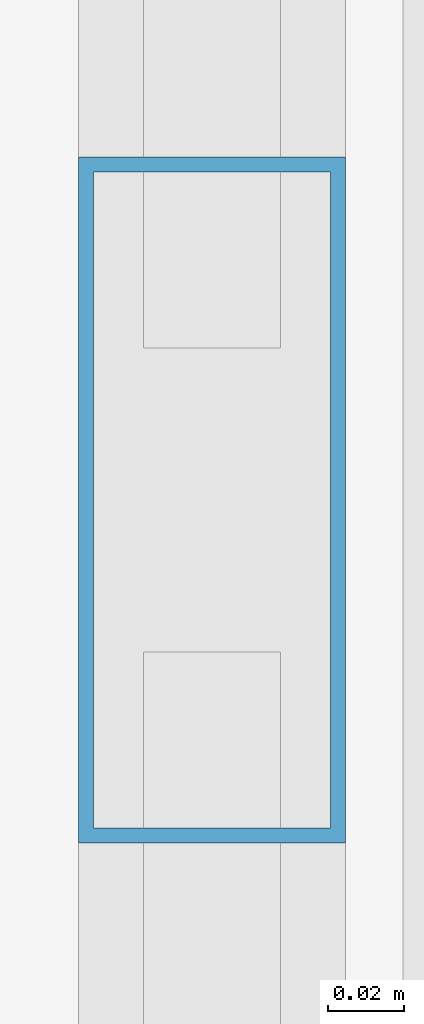
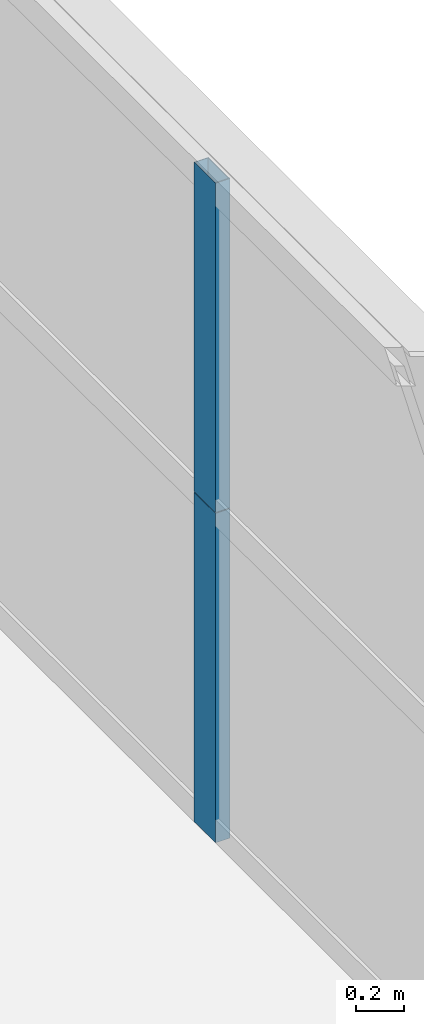
# One storey, part 19 of 41: 2 members, 1 element without a shape of its own.
"""IFC4 building model written with IfcOpenShell, lengths in metres."""

from ifc_helpers import new_model, si_unit, direction, frame, origin, origin_2d, place, context, subcontext, project, spatial, hollow_rectangle, extrude, source, transform, mapped, material, layer, layer_set, material_profile, profile_set, type_object, element, aggregate, save


model = new_model("IFC4")

# Units and contexts
model_context = context("Model", 3, precision=1e-05, world=origin(), true_north=direction((0.0, 1.0)))
body_context = subcontext(model_context, "Body", "Model", "MODEL_VIEW")
ifc_project = project(units=[si_unit("LENGTHUNIT", "METRE"), si_unit("AREAUNIT", "SQUARE_METRE"), si_unit("VOLUMEUNIT", "CUBIC_METRE"), si_unit("PLANEANGLEUNIT", "RADIAN"), si_unit("MASSUNIT", "GRAM", prefix="KILO"), si_unit("THERMODYNAMICTEMPERATUREUNIT", "KELVIN"), si_unit("POWERUNIT", "WATT")], contexts=[model_context])

# Site, building, storey
site_placement = place(None, origin())
site = spatial("IfcSite", under=ifc_project, at=site_placement, CompositionType="ELEMENT")
building_placement = place(site_placement, origin())
building = spatial("IfcBuilding", under=site, at=building_placement, Name="Yuzanri Waterfront Tower", CompositionType="ELEMENT")
storey_placement = place(building_placement, frame((0.0, 0.0, 152.39990234375)))
storey = spatial("IfcBuildingStorey", under=building, at=storey_placement, Name="L40", CompositionType="ELEMENT", Elevation=152.39990234375)

# Curtain wall, members
ifc_material_1 = material(Name="Anodized Architectural Bronze", Category="metal")
ifc_layer = layer(ifc_material_1, 0.159912109375)
ifc_layer_set = layer_set([ifc_layer], Name="Anodized Architectural Bronze")
curtain_wall_type = type_object("IfcCurtainWallType", Name="Anodized Bronze Hotel Upper-Tier Solar-Control Unitized Curtain Wall 7800", PredefinedType="NOTDEFINED", material=ifc_layer_set)
curtain_wall_placement = place(storey_placement, origin())
curtain_wall = element("IfcCurtainWall", 1, at=curtain_wall_placement, inside=storey, type_object=curtain_wall_type, Name="L40 Curtain Wall CW-L40-EL", PredefinedType="NOTDEFINED")
ifc_material_2 = material(Name="Anodized Architectural Bronze", Category="metal")
ifc_material_profile = material_profile(ifc_material_2, hollow_rectangle(XDim=0.070068359375, YDim=0.179931640625, WallThickness=0.00390625, at=origin_2d()), Name="CWM 70x180")
ifc_profile_set = profile_set([ifc_material_profile], Name="Anodized Architectural Bronze")
member_type = type_object("IfcMemberType", Name="Anodized Bronze Standard Curtain-Wall Mullion 70x180", PredefinedType="MULLION", material=ifc_profile_set)
shared_shape = source(origin(), body_context, "Body", "SweptSolid", [
    extrude(hollow_rectangle(XDim=0.070068359375, YDim=0.179931640625, WallThickness=0.00390625, at=origin_2d()), origin(), (0.0, 0.0, 1.0), 1.68798828125),
])
member_1_placement = place(storey_placement, frame((60.449951171875, 17.449951171875, 0.0), z_axis=(0.0, 0.0, 1.0), x_axis=(1.0, 0.0, 0.0)))
member_1 = element("IfcMember", 2, at=member_1_placement, type_object=member_type, Name="CW-L40-EL Lower Mullion 01", PredefinedType="MULLION", context=body_context, shape_type="MappedRepresentation", body=[
    mapped(shared_shape, transform((0.0, 0.0, 0.0), scale=1.0)),
])
member_2_placement = place(storey_placement, frame((60.449951171875, 17.449951171875, 1.692138671875), z_axis=(0.0, 0.0, 1.0), x_axis=(1.0, 0.0, 0.0)))
member_2 = element("IfcMember", 3, at=member_2_placement, type_object=member_type, Name="CW-L40-EL Upper Mullion 01", PredefinedType="MULLION", context=body_context, shape_type="MappedRepresentation", body=[
    mapped(shared_shape, transform((0.0, 0.0, 0.0), scale=1.0)),
])
aggregate(curtain_wall, [member_1, member_2])

save(model, "model.ifc")
